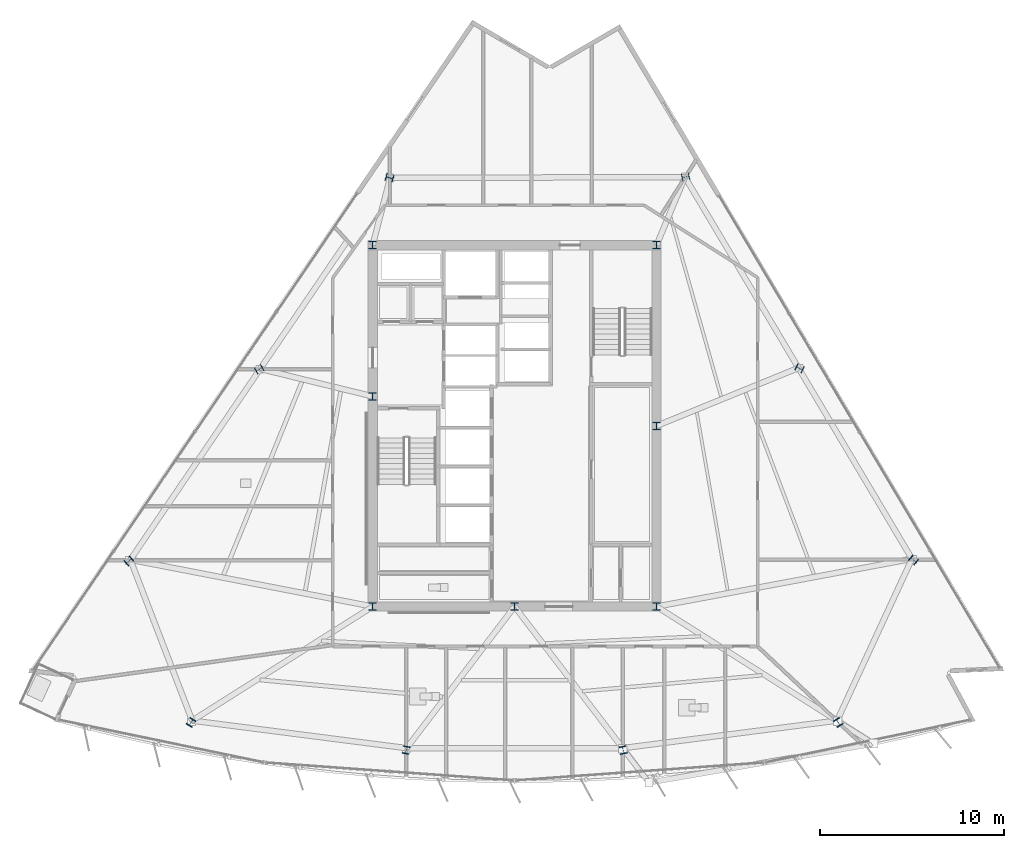
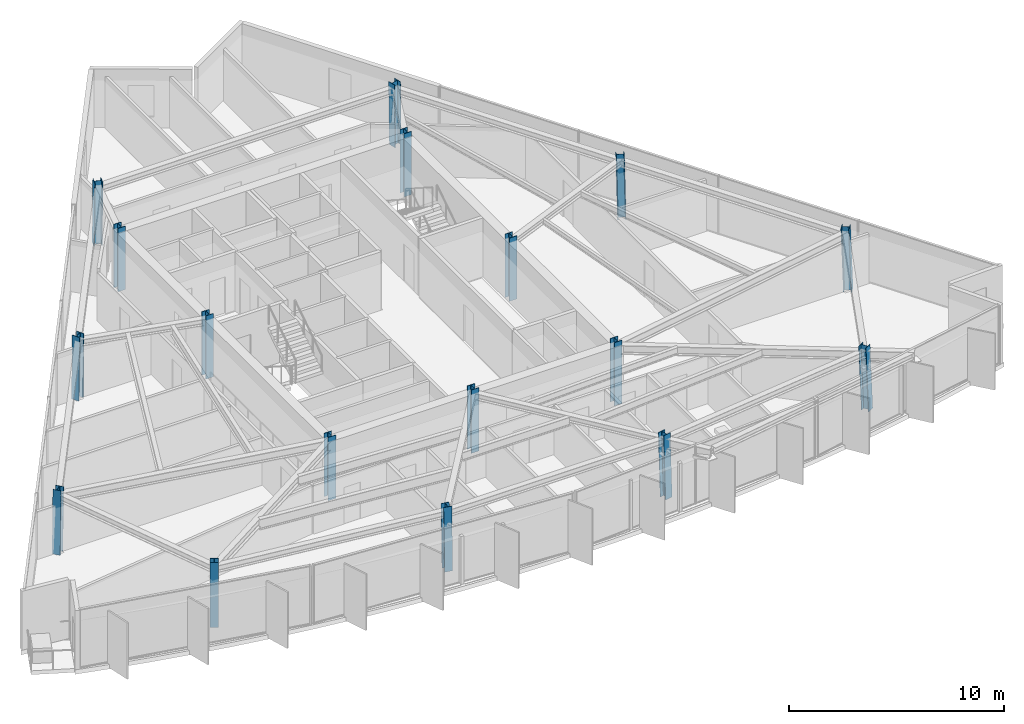
# One storey, part 1 of 15: 17 columns.
"""IFC4 building model written with IfcOpenShell, lengths in metres."""

from ifc_helpers import new_model, si_unit, direction, frame, origin, origin_2d, place, context, subcontext, project, spatial, i_section, extrude, material, material_profile, profile_set, type_object, element, save


model = new_model("IFC4")

# Units and contexts
model_context = context("Model", 3, precision=1e-05, world=origin(), true_north=direction((0.0, 1.0)))
body_context = subcontext(model_context, "Body", "Model", "MODEL_VIEW")
ifc_project = project(units=[si_unit("LENGTHUNIT", "METRE"), si_unit("AREAUNIT", "SQUARE_METRE"), si_unit("VOLUMEUNIT", "CUBIC_METRE"), si_unit("PLANEANGLEUNIT", "RADIAN"), si_unit("MASSUNIT", "GRAM", prefix="KILO")], contexts=[model_context])

# Site, building, storey
site_placement = place(None, origin())
site = spatial("IfcSite", under=ifc_project, at=site_placement, CompositionType="ELEMENT")
building_placement = place(site_placement, origin())
building = spatial("IfcBuilding", under=site, at=building_placement, Name="Savorim Split Tower", CompositionType="ELEMENT")
storey_placement = place(building_placement, frame((0.0, 0.0, 167.39990234375)))
storey = spatial("IfcBuildingStorey", under=building, at=storey_placement, Name="L44", CompositionType="ELEMENT", Elevation=167.39990234375)

# Columns
ifc_material = material(Name="Steel S460", Category="steel")
ifc_material_profile_1 = material_profile(ifc_material, i_section(OverallWidth=0.40087890625, OverallDepth=0.39892578125, WebThickness=0.015625, FlangeThickness=0.02490234375, FilletRadius=0.014892578125, at=origin_2d()), Name="HD 400x314")
ifc_profile_set_1 = profile_set([ifc_material_profile_1], Name="Steel S460")
column_type_1 = type_object("IfcColumnType", Name="COL-HD-314", PredefinedType="COLUMN", material=ifc_profile_set_1)
column_1_placement = place(storey_placement, frame((-17.5625, -15.7060546875, 0.005615234375), z_axis=(0.020596292833, 0.033511459955, 0.999226087917), x_axis=(-0.851954850327, 0.523615252838, 0.0)))
element("IfcColumn", 1, at=column_1_placement, inside=storey, type_object=column_type_1, Name="L44 Tapered Perimeter Column PC-S1", PredefinedType="COLUMN", context=body_context, shape_type="SweptSolid", body=[
    extrude(i_section(OverallWidth=0.40087890625, OverallDepth=0.39892578125, WebThickness=0.015625, FlangeThickness=0.02490234375, FilletRadius=0.014892578125, at=origin_2d()), origin(), (0.0, 0.0, 1.0), 3.591552734375),
])
for number, where, z_axis, x_axis, name in (
    (2, (-5.885986328125, -17.205078125, 0.005615234375), (0.006866324617, 0.035215407439, 0.999356157066), (-0.981516643497, 0.191376797284, 0.0), "L44 Tapered Perimeter Column PC-S2"),
    (3, (5.885986328125, -17.205078125, 0.005615234375), (-0.006866324617, 0.035215407439, 0.999356157066), (-0.981516643497, -0.191376797284, 0.0), "L44 Tapered Perimeter Column PC-S3"),
):
    element("IfcColumn", number, at=place(storey_placement, frame(where, z_axis=z_axis, x_axis=x_axis)), inside=storey, type_object=column_type_1, Name=name, PredefinedType="COLUMN", context=body_context, shape_type="SweptSolid", body=[
        extrude(i_section(OverallWidth=0.40087890625, OverallDepth=0.39892578125, WebThickness=0.015625, FlangeThickness=0.02490234375, FilletRadius=0.014892578125, at=origin_2d()), origin(), (0.0, 0.0, 1.0), 3.591064453125),
    ])
column_2_placement = place(storey_placement, frame((17.5625, -15.7060546875, 0.005615234375), z_axis=(-0.020596292833, 0.033511459955, 0.999226087917), x_axis=(-0.851954850327, -0.523615252838, 0.0)))
element("IfcColumn", 4, at=column_2_placement, inside=storey, type_object=column_type_1, Name="L44 Tapered Perimeter Column PC-S4", PredefinedType="COLUMN", context=body_context, shape_type="SweptSolid", body=[
    extrude(i_section(OverallWidth=0.40087890625, OverallDepth=0.39892578125, WebThickness=0.015625, FlangeThickness=0.02490234375, FilletRadius=0.014892578125, at=origin_2d()), origin(), (0.0, 0.0, 1.0), 3.591552734375),
])
column_3_placement = place(storey_placement, frame((21.64208984375, -6.887451171875, 0.005615234375), z_axis=(-0.026107436898, 0.021620221181, 0.999425318758), x_axis=(-0.637813971185, -0.770190455771, 0.0)))
element("IfcColumn", 5, at=column_3_placement, inside=storey, type_object=column_type_1, Name="L44 Tapered Perimeter Column PC-E1", PredefinedType="COLUMN", context=body_context, shape_type="SweptSolid", body=[
    extrude(i_section(OverallWidth=0.40087890625, OverallDepth=0.39892578125, WebThickness=0.015625, FlangeThickness=0.02490234375, FilletRadius=0.014892578125, at=origin_2d()), origin(), (0.0, 0.0, 1.0), 3.5908203125),
])
column_4_placement = place(storey_placement, frame((15.4609375, 3.507568359375, 0.005615234375), z_axis=(-0.018907326549, 0.00952167524, 0.999775900241), x_axis=(-0.449781931574, -0.893138406984, 0.0)))
element("IfcColumn", 6, at=column_4_placement, inside=storey, type_object=column_type_1, Name="L44 Tapered Perimeter Column PC-E2", PredefinedType="COLUMN", context=body_context, shape_type="SweptSolid", body=[
    extrude(i_section(OverallWidth=0.40087890625, OverallDepth=0.39892578125, WebThickness=0.015625, FlangeThickness=0.02490234375, FilletRadius=0.014892578125, at=origin_2d()), origin(), (0.0, 0.0, 1.0), 3.589599609375),
])
for number, where, z_axis, x_axis, name in (
    (7, (9.27978515625, 13.902587890625, 0.005615234375), (-0.011699840322, -0.002584848443, 0.999928213571), (0.215728093413, -0.976453475447, 0.0), "L44 Tapered Perimeter Column PC-E3"),
    (8, (-6.7880859375, 13.853759765625, 0.005615234375), (0.008775143007, -0.002584925847, 0.999958156636), (0.282568886397, 0.959247009086, 0.0), "L44 Tapered Perimeter Column PC-W1"),
):
    element("IfcColumn", number, at=place(storey_placement, frame(where, z_axis=z_axis, x_axis=x_axis)), inside=storey, type_object=column_type_1, Name=name, PredefinedType="COLUMN", context=body_context, shape_type="SweptSolid", body=[
        extrude(i_section(OverallWidth=0.40087890625, OverallDepth=0.39892578125, WebThickness=0.015625, FlangeThickness=0.02490234375, FilletRadius=0.014892578125, at=origin_2d()), origin(), (0.0, 0.0, 1.0), 3.589111328125),
    ])
column_5_placement = place(storey_placement, frame((-13.859619140625, 3.458740234375, 0.005615234375), z_axis=(0.017003572908, 0.009522000828, 0.999810086971), x_axis=(-0.488603368932, 0.87250601595, 0.0)))
element("IfcColumn", 9, at=column_5_placement, inside=storey, type_object=column_type_1, Name="L44 Tapered Perimeter Column PC-W2", PredefinedType="COLUMN", context=body_context, shape_type="SweptSolid", body=[
    extrude(i_section(OverallWidth=0.40087890625, OverallDepth=0.39892578125, WebThickness=0.015625, FlangeThickness=0.02490234375, FilletRadius=0.014892578125, at=origin_2d()), origin(), (0.0, 0.0, 1.0), 3.589599609375),
])
column_6_placement = place(storey_placement, frame((-20.93115234375, -6.936279296875, 0.005615234375), z_axis=(0.025224163578, 0.021620711639, 0.999447990843), x_axis=(-0.650791373456, 0.759256602365, 0.0)))
element("IfcColumn", 10, at=column_6_placement, inside=storey, type_object=column_type_1, Name="L44 Tapered Perimeter Column PC-W3", PredefinedType="COLUMN", context=body_context, shape_type="SweptSolid", body=[
    extrude(i_section(OverallWidth=0.40087890625, OverallDepth=0.39892578125, WebThickness=0.015625, FlangeThickness=0.02490234375, FilletRadius=0.014892578125, at=origin_2d()), origin(), (0.0, 0.0, 1.0), 3.5908203125),
])
ifc_material_profile_2 = material_profile(ifc_material, i_section(OverallWidth=0.404052734375, OverallDepth=0.406982421875, WebThickness=0.017333984375, FlangeThickness=0.028076171875, FilletRadius=0.014892578125, at=origin_2d()), Name="HD 400x347")
ifc_profile_set_2 = profile_set([ifc_material_profile_2], Name="Steel S460")
column_type_2 = type_object("IfcColumnType", Name="COL-HD-347", PredefinedType="COLUMN", material=ifc_profile_set_2)
for number, where, z_axis, x_axis, name in (
    (11, (-7.699951171875, -9.39990234375, 0.0), (0.0, 0.0, 1.0), (1.0, 0.0, 0.0), "L44 Core Structural Column TC-C1"),
    (12, (7.699951171875, -9.39990234375, 0.0), (0.0, 0.0, 1.0), (1.0, 0.0, 0.0), "L44 Core Structural Column TC-C2"),
    (13, (7.699951171875, 10.199951171875, 0.0), (0.0, 0.0, 1.0), (1.0, 0.0, 0.0), "L44 Core Structural Column TC-C3"),
    (14, (-7.699951171875, 10.199951171875, 0.0), (0.0, 0.0, 1.0), (1.0, 0.0, 0.0), "L44 Core Structural Column TC-C4"),
    (15, (0.0, -9.39990234375, 0.0), (0.0, 0.0, 1.0), (1.0, 0.0, 0.0), "L44 Core Structural Column TC-C5"),
    (16, (7.699951171875, 0.39990234375, 0.0), (0.0, 0.0, 1.0), (1.0, 0.0, 0.0), "L44 Core Structural Column TC-C6"),
    (17, (-7.699951171875, 2.0, 0.0), (0.0, 0.0, 1.0), (1.0, 0.0, 0.0), "L44 Core Structural Column TC-C7"),
):
    element("IfcColumn", number, at=place(storey_placement, frame(where, z_axis=z_axis, x_axis=x_axis)), inside=storey, type_object=column_type_2, Name=name, PredefinedType="COLUMN", context=body_context, shape_type="SweptSolid", body=[
        extrude(i_section(OverallWidth=0.404052734375, OverallDepth=0.406982421875, WebThickness=0.017333984375, FlangeThickness=0.028076171875, FilletRadius=0.014892578125, at=origin_2d()), origin(), (0.0, 0.0, 1.0), 3.60009765625),
    ])

save(model, "model.ifc")
